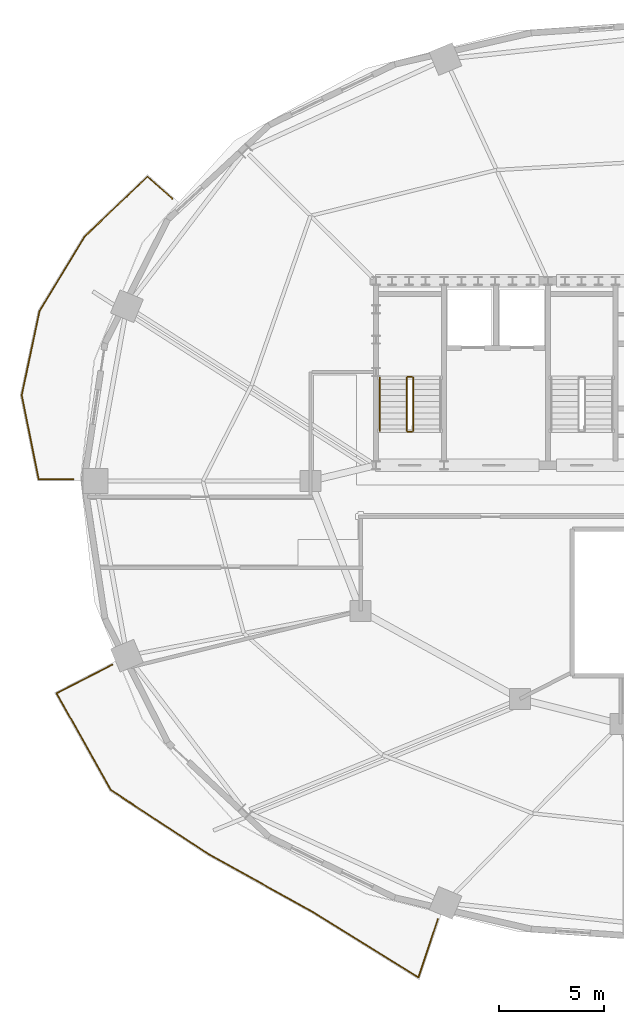
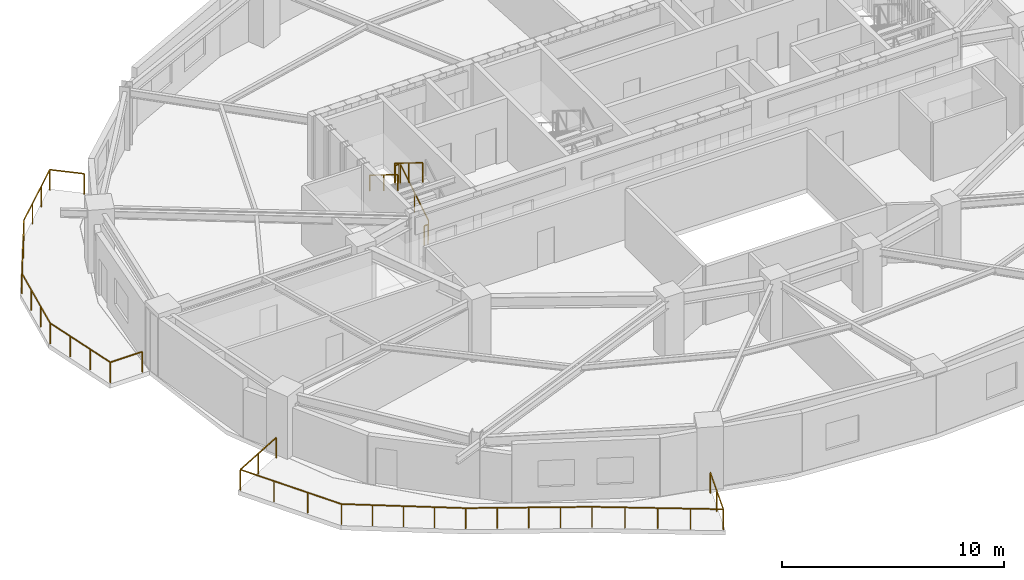
# One storey, part 7 of 11: 7 railings.
"""IFC4 building model written with IfcOpenShell, lengths in metres."""

import ifcopenshell
import ifcopenshell.guid

model = None  # the IFC model being written
_history = None  # IfcOwnerHistory: only IFC2X3 demands one
_inside = {}  # id of a spatial element -> (the spatial element, [elements in it])
_under = {}  # id of a project, library or spatial element -> (it, [spatial elements below it])
_declared = {}  # id of a project -> (the project, [libraries it declares])
_typed = {}  # id of a type object -> (the type object, [elements of that type])
_made_of = {}  # id of a material, layer set ... -> (it, [elements and type objects made of it])


def new_model(schema):
    """Start an empty IFC model of exactly this schema.

    Asked for "IFC4X3", IfcOpenShell would pick the latest addendum, in which some entities
    have other attributes; the version numbers below select the first issue.
    IFC2X3 requires an IfcOwnerHistory on every rooted entity: one is made here for all.
    """
    global model, _history
    if schema == "IFC4X3":
        model = ifcopenshell.file(schema_version=(4, 3, 0, 0))
    else:
        model = ifcopenshell.file(schema=schema)
    _inside.clear()
    _under.clear()
    _declared.clear()
    _typed.clear()
    _made_of.clear()
    _history = None
    if model.schema == "IFC2X3":
        org = make("IfcOrganization", Name="unknown")
        user = make(
            "IfcPersonAndOrganization",
            ThePerson=make("IfcPerson", FamilyName="unknown"),
            TheOrganization=org,
        )
        app = make(
            "IfcApplication",
            ApplicationDeveloper=org,
            Version="unknown",
            ApplicationFullName="unknown",
            ApplicationIdentifier="unknown",
        )
        _history = make(
            "IfcOwnerHistory",
            OwningUser=user,
            OwningApplication=app,
            ChangeAction="ADDED",
            CreationDate=0,
        )
    return model


def make(cls, **values):
    """One entity of the class cls with the attributes given. An attribute that is None is left unset."""
    return model.create_entity(
        cls, **{name: value for name, value in values.items() if value is not None}
    )


def rooted(cls, **values):
    """An entity with a GlobalId (a new one), such as an element, a storey or a relation."""
    return make(cls, GlobalId=ifcopenshell.guid.new(), OwnerHistory=_history, **values)


def si_unit(unit_type, name, prefix=None):
    """IfcSIUnit, for example si_unit("LENGTHUNIT", "METRE", prefix="MILLI")."""
    return make("IfcSIUnit", UnitType=unit_type, Prefix=prefix, Name=name)


def assignment(units):
    """IfcUnitAssignment: the units of a project."""
    return None if units is None else make("IfcUnitAssignment", Units=units)


def point(xyz):
    """IfcCartesianPoint."""
    return None if xyz is None else make("IfcCartesianPoint", Coordinates=xyz)


def direction(xyz):
    """IfcDirection."""
    return None if xyz is None else make("IfcDirection", DirectionRatios=xyz)


def frame(location, z_axis=None, x_axis=None):
    """IfcAxis2Placement3D, a coordinate frame: its origin and axes. An axis left out is left unset."""
    return make(
        "IfcAxis2Placement3D",
        Location=point(location),
        Axis=direction(z_axis),
        RefDirection=direction(x_axis),
    )


def frame_2d(location, x_axis=None):
    """IfcAxis2Placement2D, a coordinate frame in the plane: its origin and x axis."""
    return make(
        "IfcAxis2Placement2D", Location=point(location), RefDirection=direction(x_axis)
    )


def origin():
    """The frame at (0, 0, 0) with its axes left unset."""
    return frame((0.0, 0.0, 0.0))


def origin_2d():
    """The frame at (0, 0) in the plane with its x axis left unset."""
    return frame_2d((0.0, 0.0))


def place(relative_to, where):
    """IfcLocalPlacement: puts the frame where relative to a parent placement (None: the world)."""
    return make(
        "IfcLocalPlacement", PlacementRelTo=relative_to, RelativePlacement=where
    )


def context(
    kind, dimensions, precision=None, world=None, true_north=None, identifier=None
):
    """IfcGeometricRepresentationContext, for example the 3D "Model" context."""
    return make(
        "IfcGeometricRepresentationContext",
        ContextIdentifier=identifier,
        ContextType=kind,
        CoordinateSpaceDimension=dimensions,
        Precision=precision,
        WorldCoordinateSystem=world,
        TrueNorth=true_north,
    )


def subcontext(parent, identifier, kind, view, scale=None):
    """IfcGeometricRepresentationSubContext, for example "Body" below "Model"."""
    return make(
        "IfcGeometricRepresentationSubContext",
        ContextIdentifier=identifier,
        ContextType=kind,
        ParentContext=parent,
        TargetScale=scale,
        TargetView=view,
    )


def project(units=None, contexts=None):
    """IfcProject with its units and contexts."""
    return rooted(
        "IfcProject",
        Name="project",
        RepresentationContexts=contexts,
        UnitsInContext=assignment(units),
    )


def spatial(cls, under=None, at=None, **own):
    """A site, building, storey or space (cls), placed at a placement, below another one or the project."""
    s = rooted(cls, ObjectPlacement=at, **own)
    if under is not None:
        _under.setdefault(under.id(), (under, []))[1].append(s)
    return s


def profile(cls, at=None, kind="AREA", **sizes):
    """A parametric profile (cls). Its sizes go by their IFC names, for example OverallWidth=200.0."""
    return make(cls, ProfileType=kind, Position=at, **sizes)


def rectangle(**sizes):
    """IfcRectangleProfileDef."""
    return profile("IfcRectangleProfileDef", **sizes)


def extrude(swept, where, along, depth):
    """IfcExtrudedAreaSolid: the profile swept, set in the frame where, extruded along a direction by depth."""
    return make(
        "IfcExtrudedAreaSolid",
        SweptArea=swept,
        Position=where,
        ExtrudedDirection=direction(along),
        Depth=depth,
    )


def shape(context_of_items, identifier, shape_type, items):
    """IfcShapeRepresentation: the items that make up one representation, for example the "Body"."""
    return make(
        "IfcShapeRepresentation",
        ContextOfItems=context_of_items,
        RepresentationIdentifier=identifier,
        RepresentationType=shape_type,
        Items=items,
    )


def material(Name=None, Category=None):
    """IfcMaterial."""
    return make("IfcMaterial", Name=Name, Category=Category)


def made_of(thing, what):
    """Note that an element or type object is made of a material, layer set ...; save() writes the relation."""
    if what is not None:
        _made_of.setdefault(what.id(), (what, []))[1].append(thing)
    return thing


def type_object(cls, material=None, **own):
    """A type object (cls), such as IfcWallType, which elements share."""
    return made_of(rooted(cls, **own), material)


def element(
    cls,
    number,
    at=None,
    inside=None,
    cuts=None,
    type_object=None,
    material=None,
    context=None,
    identifier="Body",
    shape_type=None,
    held_by="IfcProductDefinitionShape",
    body=None,
    shapes=None,
    **own,
):
    """One element of the class cls, such as IfcWall. Its Tag is "e" and its number.

    at: its placement. inside: the storey or other place that contains it. cuts: it is an
    opening in that element (IfcRelVoidsElement). A single representation is given by context,
    identifier, shape_type and body (its items); several are given by shapes. held_by: the class
    of the entity that holds the representations. save() writes the other relations.
    """
    e = rooted(cls, Tag="e%d" % number, ObjectPlacement=at, **own)
    if body is not None:
        shapes = [shape(context, identifier, shape_type, body)]
    if shapes is not None:
        e.Representation = make(held_by, Representations=shapes)
    if inside is not None:
        _inside.setdefault(inside.id(), (inside, []))[1].append(e)
    if cuts is not None:
        rooted(
            "IfcRelVoidsElement", RelatingBuildingElement=cuts, RelatedOpeningElement=e
        )
    if type_object is not None:
        _typed.setdefault(type_object.id(), (type_object, []))[1].append(e)
    return made_of(e, material)


def aggregate(whole, parts):
    """IfcRelAggregates: a whole, such as a stair, and the parts it consists of."""
    return rooted("IfcRelAggregates", RelatingObject=whole, RelatedObjects=parts)


def save(model, path):
    """Write the relations noted so far, then the file.

    IfcRelAggregates (storeys below a building ...), IfcRelContainedInSpatialStructure (elements
    in a storey), IfcRelDefinesByType, IfcRelAssociatesMaterial and IfcRelDeclares: one each for
    every whole, place, type object, material and project.
    """
    for whole, parts in _under.values():
        aggregate(whole, parts)
    for where, things in _inside.values():
        rooted(
            "IfcRelContainedInSpatialStructure",
            RelatedElements=things,
            RelatingStructure=where,
        )
    for kind, things in _typed.values():
        rooted("IfcRelDefinesByType", RelatedObjects=things, RelatingType=kind)
    for what, things in _made_of.values():
        rooted("IfcRelAssociatesMaterial", RelatedObjects=things, RelatingMaterial=what)
    for by, libraries in _declared.values():
        rooted("IfcRelDeclares", RelatingContext=by, RelatedDefinitions=libraries)
    model.write(path)


model = new_model("IFC4")

# Units and contexts
model_context = context("Model", 3, precision=1e-05, world=origin(), true_north=direction((0.0, 1.0)))
body_context = subcontext(model_context, "Body", "Model", "MODEL_VIEW")
ifc_project = project(units=[si_unit("LENGTHUNIT", "METRE"), si_unit("AREAUNIT", "SQUARE_METRE"), si_unit("VOLUMEUNIT", "CUBIC_METRE"), si_unit("PLANEANGLEUNIT", "RADIAN"), si_unit("MASSUNIT", "GRAM", prefix="KILO")], contexts=[model_context])

# Site, building, storey
site_placement = place(None, origin())
site = spatial("IfcSite", under=ifc_project, at=site_placement, CompositionType="ELEMENT")
building_placement = place(site_placement, origin())
building = spatial("IfcBuilding", under=site, at=building_placement, Name="Haldorwick Loom Tower", CompositionType="ELEMENT")
storey_placement = place(building_placement, frame((0.0, 0.0, 215.199951171875)))
storey = spatial("IfcBuildingStorey", under=building, at=storey_placement, Name="L58", CompositionType="ELEMENT", Elevation=215.199951171875)

# Railings
ifc_material_1 = material(Name="Galvanized Steel CSA G40.21 350W", Category="steel")
railing_type_1 = type_object("IfcRailingType", Name="ARC-RLG-BAL115", PredefinedType="BALUSTRADE", material=ifc_material_1)
railing_1_placement = place(storey_placement, frame((24.88134765625, 5.08056640625, 0.0)))
element("IfcRailing", 1, at=railing_1_placement, inside=storey, type_object=railing_type_1, Name="L58 Outdoor Terrace Guardrail SLB-L58-BAL_SW-1", PredefinedType="BALUSTRADE", context=body_context, shape_type="SweptSolid", body=[
    extrude(rectangle(XDim=0.048095703125, YDim=0.048095703125, at=origin_2d()), frame((0.0, 0.0, 1.1259765625), z_axis=(-0.316627583339, -0.948549931985, 0.0), x_axis=(0.948549931985, -0.316627583339, 0.0)), (0.0, 0.0, 1.0), 2.930908203125),
    extrude(rectangle(XDim=0.048095703125, YDim=0.048095703125, at=origin_2d()), frame((-0.927978515625, -2.780029296875, 1.1259765625), z_axis=(-0.849558476044, 0.527494450949, 0.0), x_axis=(-0.527494450949, -0.849558476044, 0.0)), (0.0, 0.0, 1.0), 5.911376953125),
    extrude(rectangle(XDim=0.048095703125, YDim=0.048095703125, at=origin_2d()), frame((-5.949951171875, 0.338134765625, 1.1259765625), z_axis=(-0.841178475377, 0.540757591313, 0.0), x_axis=(-0.540757591313, -0.841178475377, 0.0)), (0.0, 0.0, 1.0), 0.004150390625),
    extrude(rectangle(XDim=0.048095703125, YDim=0.048095703125, at=origin_2d()), frame((-5.953369140625, 0.34033203125, 1.1259765625), z_axis=(-0.874794435456, 0.484494267969, 0.0), x_axis=(-0.484494267969, -0.874794435456, 0.0)), (0.0, 0.0, 1.0), 5.6865234375),
    extrude(rectangle(XDim=0.048095703125, YDim=0.048095703125, at=origin_2d()), frame((-10.927978515625, 3.095458984375, 1.1259765625), z_axis=(-0.836006040113, 0.548720239188, 0.0), x_axis=(-0.548720239188, -0.836006040113, 0.0)), (0.0, 0.0, 1.0), 5.600341796875),
    extrude(rectangle(XDim=0.048095703125, YDim=0.048095703125, at=origin_2d()), frame((-15.60986328125, 6.16845703125, 1.1259765625), z_axis=(-0.488904125023, 0.872337524434, 0.0), x_axis=(-0.872337524434, -0.488904125023, 0.0)), (0.0, 0.0, 1.0), 5.289306640625),
    extrude(rectangle(XDim=0.048095703125, YDim=0.048095703125, at=origin_2d()), frame((-18.19580078125, 10.782470703125, 1.1259765625), z_axis=(0.888615283662, 0.45865333057, 0.0), x_axis=(-0.45865333057, 0.888615283662, 0.0)), (0.0, 0.0, 1.0), 2.98681640625),
    extrude(rectangle(XDim=0.0419921875, YDim=0.0419921875, at=origin_2d()), origin(), (0.0, 0.0, 1.0), 1.101806640625),
    extrude(rectangle(XDim=0.0419921875, YDim=0.0419921875, at=origin_2d()), frame((-0.4638671875, -1.39013671875, 0.0)), (0.0, 0.0, 1.0), 1.101806640625),
    extrude(rectangle(XDim=0.0419921875, YDim=0.0419921875, at=origin_2d()), frame((-0.927978515625, -2.780029296875, 0.0)), (0.0, 0.0, 1.0), 1.101806640625),
    extrude(rectangle(XDim=0.0419921875, YDim=0.0419921875, at=origin_2d()), frame((-2.18359375, -2.00048828125, 0.0)), (0.0, 0.0, 1.0), 1.101806640625),
    extrude(rectangle(XDim=0.0419921875, YDim=0.0419921875, at=origin_2d()), frame((-3.43896484375, -1.220947265625, 0.0)), (0.0, 0.0, 1.0), 1.101806640625),
    extrude(rectangle(XDim=0.0419921875, YDim=0.0419921875, at=origin_2d()), frame((-4.6943359375, -0.44140625, 0.0)), (0.0, 0.0, 1.0), 1.101806640625),
    extrude(rectangle(XDim=0.0419921875, YDim=0.0419921875, at=origin_2d()), frame((-5.949951171875, 0.338134765625, 0.0)), (0.0, 0.0, 1.0), 1.101806640625),
    extrude(rectangle(XDim=0.0419921875, YDim=0.0419921875, at=origin_2d()), frame((-7.197021484375, 1.029052734375, 0.0)), (0.0, 0.0, 1.0), 1.101806640625),
    extrude(rectangle(XDim=0.0419921875, YDim=0.0419921875, at=origin_2d()), frame((-8.440673828125, 1.7177734375, 0.0)), (0.0, 0.0, 1.0), 1.101806640625),
    extrude(rectangle(XDim=0.0419921875, YDim=0.0419921875, at=origin_2d()), frame((-9.684326171875, 2.40673828125, 0.0)), (0.0, 0.0, 1.0), 1.101806640625),
    extrude(rectangle(XDim=0.0419921875, YDim=0.0419921875, at=origin_2d()), frame((-10.927978515625, 3.095458984375, 0.0)), (0.0, 0.0, 1.0), 1.101806640625),
    extrude(rectangle(XDim=0.0419921875, YDim=0.0419921875, at=origin_2d()), frame((-12.098388671875, 3.86376953125, 0.0)), (0.0, 0.0, 1.0), 1.101806640625),
    extrude(rectangle(XDim=0.0419921875, YDim=0.0419921875, at=origin_2d()), frame((-13.26904296875, 4.6318359375, 0.0)), (0.0, 0.0, 1.0), 1.101806640625),
    extrude(rectangle(XDim=0.0419921875, YDim=0.0419921875, at=origin_2d()), frame((-14.439453125, 5.400146484375, 0.0)), (0.0, 0.0, 1.0), 1.101806640625),
    extrude(rectangle(XDim=0.0419921875, YDim=0.0419921875, at=origin_2d()), frame((-15.60986328125, 6.16845703125, 0.0)), (0.0, 0.0, 1.0), 1.101806640625),
    extrude(rectangle(XDim=0.0419921875, YDim=0.0419921875, at=origin_2d()), frame((-16.471923828125, 7.70654296875, 0.0)), (0.0, 0.0, 1.0), 1.101806640625),
    extrude(rectangle(XDim=0.0419921875, YDim=0.0419921875, at=origin_2d()), frame((-17.333740234375, 9.244384765625, 0.0)), (0.0, 0.0, 1.0), 1.101806640625),
    extrude(rectangle(XDim=0.0419921875, YDim=0.0419921875, at=origin_2d()), frame((-18.19580078125, 10.782470703125, 0.0)), (0.0, 0.0, 1.0), 1.101806640625),
    extrude(rectangle(XDim=0.0419921875, YDim=0.0419921875, at=origin_2d()), frame((-16.86865234375, 11.46728515625, 0.0)), (0.0, 0.0, 1.0), 1.101806640625),
    extrude(rectangle(XDim=0.0419921875, YDim=0.0419921875, at=origin_2d()), frame((-15.541748046875, 12.15234375, 0.0)), (0.0, 0.0, 1.0), 1.101806640625),
])
railing_2_placement = place(storey_placement, frame((7.490478515625, 26.080078125, 0.0)))
element("IfcRailing", 2, at=railing_2_placement, inside=storey, type_object=railing_type_1, Name="L58 Outdoor Terrace Guardrail SLB-L58-BAL_WNW-1", PredefinedType="BALUSTRADE", context=body_context, shape_type="SweptSolid", body=[
    extrude(rectangle(XDim=0.048095703125, YDim=0.048095703125, at=origin_2d()), frame((0.0, 0.0, 1.1259765625), z_axis=(-1.0, 0.0, 0.0), x_axis=(0.0, -1.0, 0.0)), (0.0, 0.0, 1.0), 1.6630859375),
    extrude(rectangle(XDim=0.048095703125, YDim=0.048095703125, at=origin_2d()), frame((-1.6630859375, 0.0, 1.1259765625), z_axis=(-0.197952038477, 0.980211706961, 0.0), x_axis=(-0.980211706961, -0.197952038477, 0.0)), (0.0, 0.0, 1.0), 4.091064453125),
    extrude(rectangle(XDim=0.048095703125, YDim=0.048095703125, at=origin_2d()), frame((-2.472900390625, 4.010009765625, 1.1259765625), z_axis=(0.206899731291, 0.978362152371, 0.0), x_axis=(-0.978362152371, 0.206899731291, 0.0)), (0.0, 0.0, 1.0), 4.122802734375),
    extrude(rectangle(XDim=0.048095703125, YDim=0.048095703125, at=origin_2d()), frame((-1.619873046875, 8.043701171875, 1.1259765625), z_axis=(0.519108630806, 0.854708271531, 0.0), x_axis=(-0.854708271531, 0.519108630806, 0.0)), (0.0, 0.0, 1.0), 4.1494140625),
    extrude(rectangle(XDim=0.048095703125, YDim=0.048095703125, at=origin_2d()), frame((0.5341796875, 11.59033203125, 1.1259765625), z_axis=(0.723965488308, 0.689836191961, 0.0), x_axis=(-0.689836191961, 0.723965488308, 0.0)), (0.0, 0.0, 1.0), 4.141845703125),
    extrude(rectangle(XDim=0.048095703125, YDim=0.048095703125, at=origin_2d()), frame((3.53271484375, 14.447509765625, 1.1259765625), z_axis=(0.748157336586, -0.663521363418, 0.0), x_axis=(0.663521363418, 0.748157336586, 0.0)), (0.0, 0.0, 1.0), 1.583740234375),
    extrude(rectangle(XDim=0.0419921875, YDim=0.0419921875, at=origin_2d()), origin(), (0.0, 0.0, 1.0), 1.101806640625),
    extrude(rectangle(XDim=0.0419921875, YDim=0.0419921875, at=origin_2d()), frame((-1.6630859375, 0.0, 0.0)), (0.0, 0.0, 1.0), 1.101806640625),
    extrude(rectangle(XDim=0.0419921875, YDim=0.0419921875, at=origin_2d()), frame((-1.93310546875, 1.336669921875, 0.0)), (0.0, 0.0, 1.0), 1.101806640625),
    extrude(rectangle(XDim=0.0419921875, YDim=0.0419921875, at=origin_2d()), frame((-2.202880859375, 2.67333984375, 0.0)), (0.0, 0.0, 1.0), 1.101806640625),
    extrude(rectangle(XDim=0.0419921875, YDim=0.0419921875, at=origin_2d()), frame((-2.472900390625, 4.010009765625, 0.0)), (0.0, 0.0, 1.0), 1.101806640625),
    extrude(rectangle(XDim=0.0419921875, YDim=0.0419921875, at=origin_2d()), frame((-2.1884765625, 5.3544921875, 0.0)), (0.0, 0.0, 1.0), 1.101806640625),
    extrude(rectangle(XDim=0.0419921875, YDim=0.0419921875, at=origin_2d()), frame((-1.904296875, 6.69921875, 0.0)), (0.0, 0.0, 1.0), 1.101806640625),
    extrude(rectangle(XDim=0.0419921875, YDim=0.0419921875, at=origin_2d()), frame((-1.619873046875, 8.043701171875, 0.0)), (0.0, 0.0, 1.0), 1.101806640625),
    extrude(rectangle(XDim=0.0419921875, YDim=0.0419921875, at=origin_2d()), frame((-0.90185546875, 9.225830078125, 0.0)), (0.0, 0.0, 1.0), 1.101806640625),
    extrude(rectangle(XDim=0.0419921875, YDim=0.0419921875, at=origin_2d()), frame((-0.183837890625, 10.408203125, 0.0)), (0.0, 0.0, 1.0), 1.101806640625),
    extrude(rectangle(XDim=0.0419921875, YDim=0.0419921875, at=origin_2d()), frame((0.5341796875, 11.59033203125, 0.0)), (0.0, 0.0, 1.0), 1.101806640625),
    extrude(rectangle(XDim=0.0419921875, YDim=0.0419921875, at=origin_2d()), frame((1.53369140625, 12.542724609375, 0.0)), (0.0, 0.0, 1.0), 1.101806640625),
    extrude(rectangle(XDim=0.0419921875, YDim=0.0419921875, at=origin_2d()), frame((2.533203125, 13.4951171875, 0.0)), (0.0, 0.0, 1.0), 1.101806640625),
    extrude(rectangle(XDim=0.0419921875, YDim=0.0419921875, at=origin_2d()), frame((3.53271484375, 14.447509765625, 0.0)), (0.0, 0.0, 1.0), 1.101806640625),
    extrude(rectangle(XDim=0.0419921875, YDim=0.0419921875, at=origin_2d()), frame((4.717529296875, 13.396728515625, 0.0)), (0.0, 0.0, 1.0), 1.101806640625),
])
ifc_material_2 = material(Name="Steel CSA G40.21 350W", Category="steel")
railing_type_2 = type_object("IfcRailingType", Name="ARC-RLG-GUARD112", PredefinedType="GUARDRAIL", material=ifc_material_2)
railing_3_placement = place(storey_placement, frame((23.699951171875, 28.39990234375, 0.172607421875)))
element("IfcRailing", 3, at=railing_3_placement, inside=storey, type_object=railing_type_2, Name="L58 ST-01 stair guard 1", PredefinedType="GUARDRAIL", context=body_context, shape_type="SweptSolid", body=[
    extrude(rectangle(XDim=0.048095703125, YDim=0.048095703125, at=origin_2d()), frame((0.0, 0.0, 1.076171875), z_axis=(0.0, 0.851400495292, 0.524516154772), x_axis=(-1.0, 0.0, 0.0)), (0.0, 0.0, 1.0), 2.9599609375),
    extrude(rectangle(XDim=0.0419921875, YDim=0.0419921875, at=origin_2d()), origin(), (0.0, 0.0, 1.0), 1.052001953125),
    extrude(rectangle(XDim=0.0419921875, YDim=0.0419921875, at=origin_2d()), frame((0.0, 1.260009765625, 0.7763671875)), (0.0, 0.0, 1.0), 1.052001953125),
    extrude(rectangle(XDim=0.0419921875, YDim=0.0419921875, at=origin_2d()), frame((0.0, 2.52001953125, 1.552490234375)), (0.0, 0.0, 1.0), 1.052001953125),
])
railing_4_placement = place(storey_placement, frame((23.64990234375, 30.969970703125, 1.72509765625)))
element("IfcRailing", 4, at=railing_4_placement, inside=storey, type_object=railing_type_2, Name="L58 ST-01 stair guard 2", PredefinedType="GUARDRAIL", context=body_context, shape_type="SweptSolid", body=[
    extrude(rectangle(XDim=0.048095703125, YDim=0.048095703125, at=origin_2d()), frame((0.0, 0.0, 1.076171875), z_axis=(-1.0, 0.0, 0.0), x_axis=(0.0, -1.0, 0.0)), (0.0, 0.0, 1.0), 0.199951171875),
    extrude(rectangle(XDim=0.0419921875, YDim=0.0419921875, at=origin_2d()), origin(), (0.0, 0.0, 1.0), 1.052001953125),
    extrude(rectangle(XDim=0.0419921875, YDim=0.0419921875, at=origin_2d()), frame((-0.199951171875, 0.0, 0.0)), (0.0, 0.0, 1.0), 1.052001953125),
])
railing_5_placement = place(storey_placement, frame((23.39990234375, 30.919921875, 1.8974609375)))
element("IfcRailing", 5, at=railing_5_placement, inside=storey, type_object=railing_type_2, Name="L58 ST-01 stair guard 3", PredefinedType="GUARDRAIL", context=body_context, shape_type="SweptSolid", body=[
    extrude(rectangle(XDim=0.048095703125, YDim=0.048095703125, at=origin_2d()), frame((0.0, 0.0, 1.076171875), z_axis=(0.0, -0.851400495292, 0.524516154772), x_axis=(1.0, 0.0, 0.0)), (0.0, 0.0, 1.0), 2.9599609375),
    extrude(rectangle(XDim=0.0419921875, YDim=0.0419921875, at=origin_2d()), origin(), (0.0, 0.0, 1.0), 1.052001953125),
    extrude(rectangle(XDim=0.0419921875, YDim=0.0419921875, at=origin_2d()), frame((0.0, -1.260009765625, 0.7763671875)), (0.0, 0.0, 1.0), 1.052001953125),
    extrude(rectangle(XDim=0.0419921875, YDim=0.0419921875, at=origin_2d()), frame((0.0, -2.52001953125, 1.552490234375)), (0.0, 0.0, 1.0), 1.052001953125),
])
railing_6_placement = place(storey_placement, frame((23.64990234375, 28.35009765625, 0.0)))
element("IfcRailing", 6, at=railing_6_placement, inside=storey, type_object=railing_type_2, Name="L58 ST-01 stair guard 4", PredefinedType="GUARDRAIL", context=body_context, shape_type="SweptSolid", body=[
    extrude(rectangle(XDim=0.048095703125, YDim=0.048095703125, at=origin_2d()), frame((0.0, 0.0, 1.076171875), z_axis=(-1.0, 0.0, 0.0), x_axis=(0.0, -1.0, 0.0)), (0.0, 0.0, 1.0), 0.199951171875),
    extrude(rectangle(XDim=0.0419921875, YDim=0.0419921875, at=origin_2d()), origin(), (0.0, 0.0, 1.0), 1.052001953125),
    extrude(rectangle(XDim=0.0419921875, YDim=0.0419921875, at=origin_2d()), frame((-0.199951171875, 0.0, 0.0)), (0.0, 0.0, 1.0), 1.052001953125),
])
railing_type_3 = type_object("IfcRailingType", Name="ARC-RLG-HAND092", PredefinedType="HANDRAIL", material=ifc_material_2)
railing_7_placement = place(storey_placement, frame((22.10009765625, 30.919921875, 1.8974609375)))
element("IfcRailing", 7, at=railing_7_placement, inside=storey, type_object=railing_type_3, Name="L58 ST-01 stair handrail 2", PredefinedType="HANDRAIL", context=body_context, shape_type="SweptSolid", body=[
    extrude(rectangle(XDim=0.048095703125, YDim=0.048095703125, at=origin_2d()), frame((0.0, 0.0, 0.8759765625), z_axis=(0.0, -0.851400495292, 0.524516154772), x_axis=(1.0, 0.0, 0.0)), (0.0, 0.0, 1.0), 2.9599609375),
    extrude(rectangle(XDim=0.0419921875, YDim=0.0419921875, at=origin_2d()), origin(), (0.0, 0.0, 1.0), 0.851806640625),
    extrude(rectangle(XDim=0.0419921875, YDim=0.0419921875, at=origin_2d()), frame((0.0, -1.260009765625, 0.7763671875)), (0.0, 0.0, 1.0), 0.851806640625),
    extrude(rectangle(XDim=0.0419921875, YDim=0.0419921875, at=origin_2d()), frame((0.0, -2.52001953125, 1.552490234375)), (0.0, 0.0, 1.0), 0.851806640625),
])

save(model, "model.ifc")
